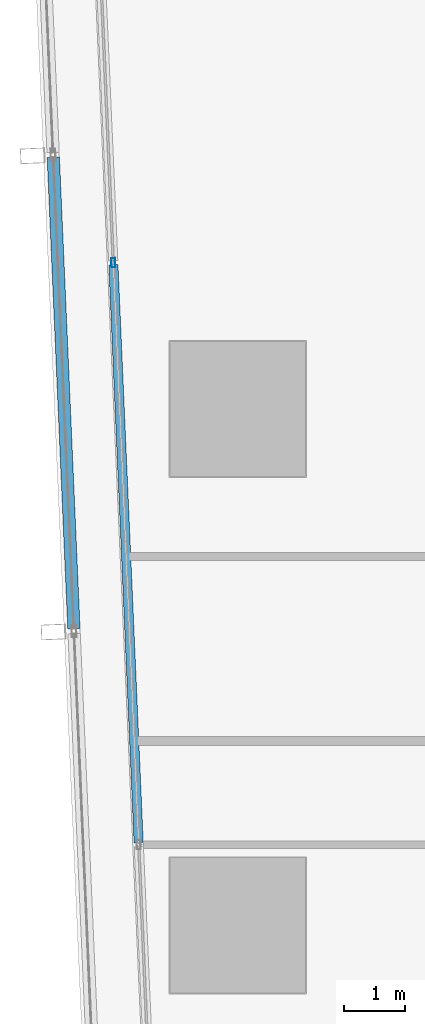
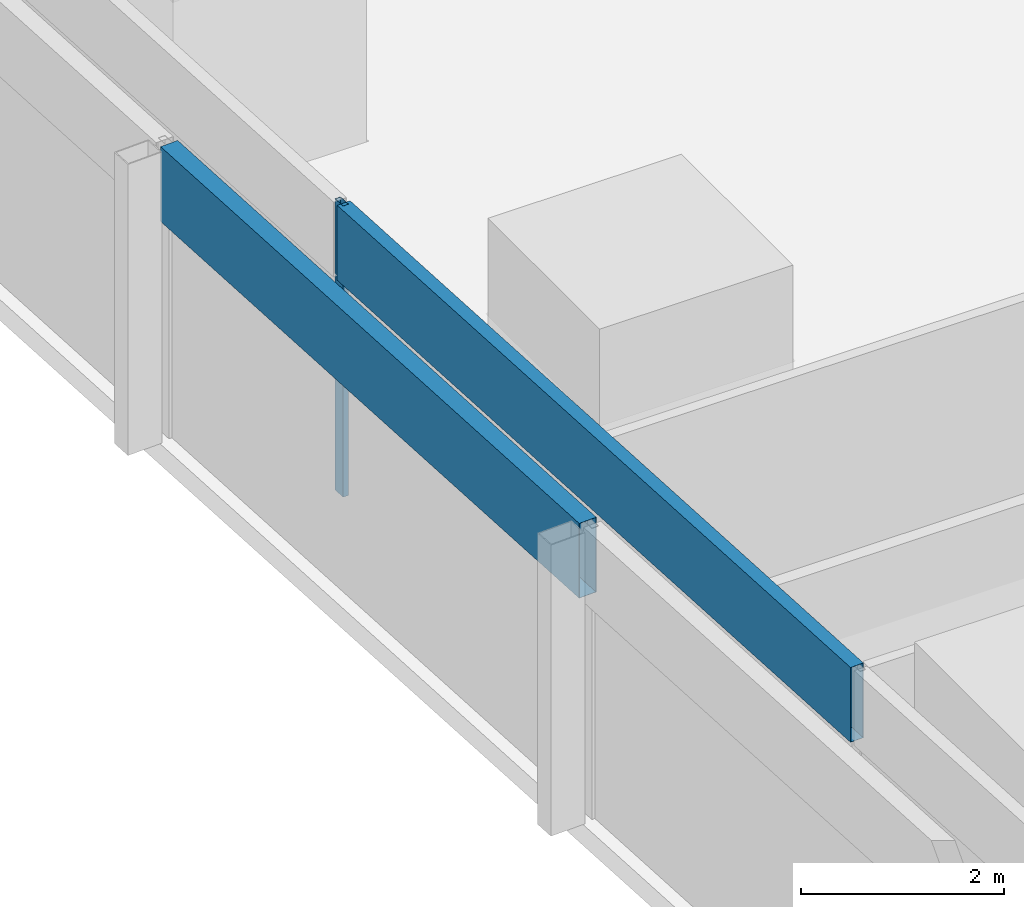
# One storey, part 8 of 44: 3 members, 2 elements without a shape of their own.
"""IFC4 building model written with IfcOpenShell, lengths in metres."""

from ifc_helpers import new_model, si_unit, direction, frame, origin, origin_2d, place, context, subcontext, project, spatial, hollow_rectangle, extrude, material, material_profile, profile_set, type_object, element, aggregate, save


model = new_model("IFC4")

# Units and contexts
model_context = context("Model", 3, precision=1e-05, world=origin(), true_north=direction((0.0, 1.0)))
body_context = subcontext(model_context, "Body", "Model", "MODEL_VIEW")
ifc_project = project(units=[si_unit("LENGTHUNIT", "METRE"), si_unit("AREAUNIT", "SQUARE_METRE"), si_unit("VOLUMEUNIT", "CUBIC_METRE"), si_unit("PLANEANGLEUNIT", "RADIAN"), si_unit("MASSUNIT", "GRAM", prefix="KILO")], contexts=[model_context])

# Site, building, storey
site_placement = place(None, origin())
site = spatial("IfcSite", under=ifc_project, at=site_placement, CompositionType="ELEMENT")
building_placement = place(site_placement, origin())
building = spatial("IfcBuilding", under=site, at=building_placement, Name="Rekha Terrace Tower", CompositionType="ELEMENT")
storey_placement = place(building_placement, frame((0.0, 0.0, 74.14990234375)))
storey = spatial("IfcBuildingStorey", under=building, at=storey_placement, Name="L18", CompositionType="ELEMENT", Elevation=74.14990234375)

# Curtain wall, members
ifc_material_1 = material(Name="Aluminium framing", Category="aluminium")
curtain_wall_type_1 = type_object("IfcCurtainWallType", Name="CW1 double skin inner glazing", PredefinedType="USERDEFINED", material=ifc_material_1)
curtain_wall_1_placement = place(storey_placement, origin())
curtain_wall_1 = element("IfcCurtainWall", 1, at=curtain_wall_1_placement, inside=storey, type_object=curtain_wall_type_1, Name="CW1 double skin inner glazing", ObjectType="DOUBLE SKIN INNER GLAZING", PredefinedType="USERDEFINED")
ifc_material_2 = material(Name="Aluminium mullion section", Category="aluminium")
ifc_material_profile_1 = material_profile(ifc_material_2, hollow_rectangle(XDim=0.06494140625, YDim=0.14990234375, WallThickness=0.00390625, at=origin_2d()), Name="AL RHS 65x150")
ifc_profile_set_1 = profile_set([ifc_material_profile_1], Name="Aluminium mullion section")
member_type_1 = type_object("IfcMemberType", Name="CW1 mullion RHS 65 x 150", PredefinedType="MULLION", material=ifc_profile_set_1)
member_1_placement = place(storey_placement, frame((6.37646484375, 35.978271484375, 0.0), z_axis=(0.0, 0.0, 1.0), x_axis=(0.999045462133, 0.043682543337, 0.0)))
member_1 = element("IfcMember", 2, at=member_1_placement, type_object=member_type_1, Name="CW1 mullion 2", PredefinedType="MULLION", context=body_context, shape_type="SweptSolid", body=[
    extrude(hollow_rectangle(XDim=0.06494140625, YDim=0.14990234375, WallThickness=0.00390625, at=origin_2d()), origin(), (0.0, 0.0, 1.0), 3.5),
])
ifc_material_3 = material(Name="Insulated aluminium spandrel box", Category="aluminium")
ifc_material_profile_2 = material_profile(ifc_material_3, hollow_rectangle(XDim=0.14990234375, YDim=0.89990234375, WallThickness=0.0029296875, at=origin_2d()), Name="AL SPANDREL BOX 150x900")
ifc_profile_set_2 = profile_set([ifc_material_profile_2], Name="Insulated aluminium spandrel box")
member_type_2 = type_object("IfcMemberType", Name="CW1 spandrel transom 150 x 900", PredefinedType="USERDEFINED", material=ifc_profile_set_2)
member_2_placement = place(storey_placement, frame((6.3779296875, 35.94580078125, 3.050048828125), z_axis=(0.043666917606, -0.999046145234, 0.0), x_axis=(0.999046145234, 0.043666917606, 0.0)))
member_2 = element("IfcMember", 3, at=member_2_placement, type_object=member_type_2, Name="CW1 spandrel transom 2", ObjectType="TRANSOM", PredefinedType="USERDEFINED", context=body_context, shape_type="SweptSolid", body=[
    extrude(hollow_rectangle(XDim=0.14990234375, YDim=0.89990234375, WallThickness=0.0029296875, at=origin_2d()), origin(), (0.0, 0.0, 1.0), 9.40966796875),
])
aggregate(curtain_wall_1, [member_1, member_2])

# Curtain wall, member
curtain_wall_type_2 = type_object("IfcCurtainWallType", Name="CW2 double skin outer glazing", PredefinedType="USERDEFINED", material=ifc_material_1)
curtain_wall_2_placement = place(storey_placement, origin())
curtain_wall_2 = element("IfcCurtainWall", 4, at=curtain_wall_2_placement, inside=storey, type_object=curtain_wall_type_2, Name="CW2 double skin outer glazing", ObjectType="DOUBLE SKIN OUTER GLAZING", PredefinedType="USERDEFINED")
ifc_material_profile_3 = material_profile(ifc_material_3, hollow_rectangle(XDim=0.199951171875, YDim=0.89990234375, WallThickness=0.0029296875, at=origin_2d()), Name="AL SPANDREL BOX 200x900")
ifc_profile_set_3 = profile_set([ifc_material_profile_3], Name="Insulated aluminium spandrel box")
member_type_3 = type_object("IfcMemberType", Name="CW2 spandrel transom 200 x 900", PredefinedType="USERDEFINED", material=ifc_profile_set_3)
member_3_placement = place(storey_placement, frame((5.400634765625, 37.690185546875, 3.050048828125), z_axis=(0.04369270591, -0.99904501773, 0.0), x_axis=(0.99904501773, 0.04369270591, 0.0)))
member_3 = element("IfcMember", 5, at=member_3_placement, type_object=member_type_3, Name="CW2 spandrel transom 2", ObjectType="TRANSOM", PredefinedType="USERDEFINED", context=body_context, shape_type="SweptSolid", body=[
    extrude(hollow_rectangle(XDim=0.199951171875, YDim=0.89990234375, WallThickness=0.0029296875, at=origin_2d()), origin(), (0.0, 0.0, 1.0), 7.671875),
])
aggregate(curtain_wall_2, [member_3])

save(model, "model.ifc")
